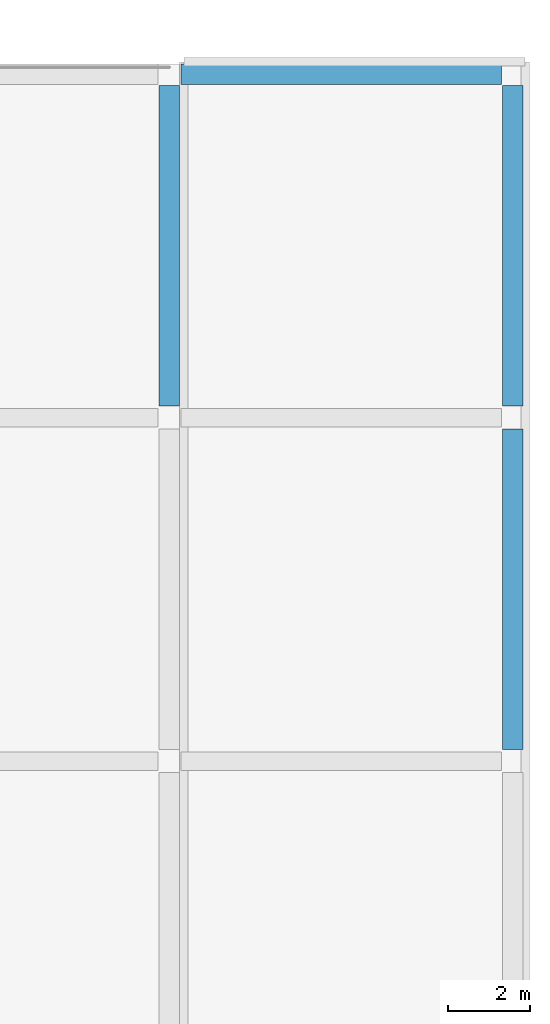
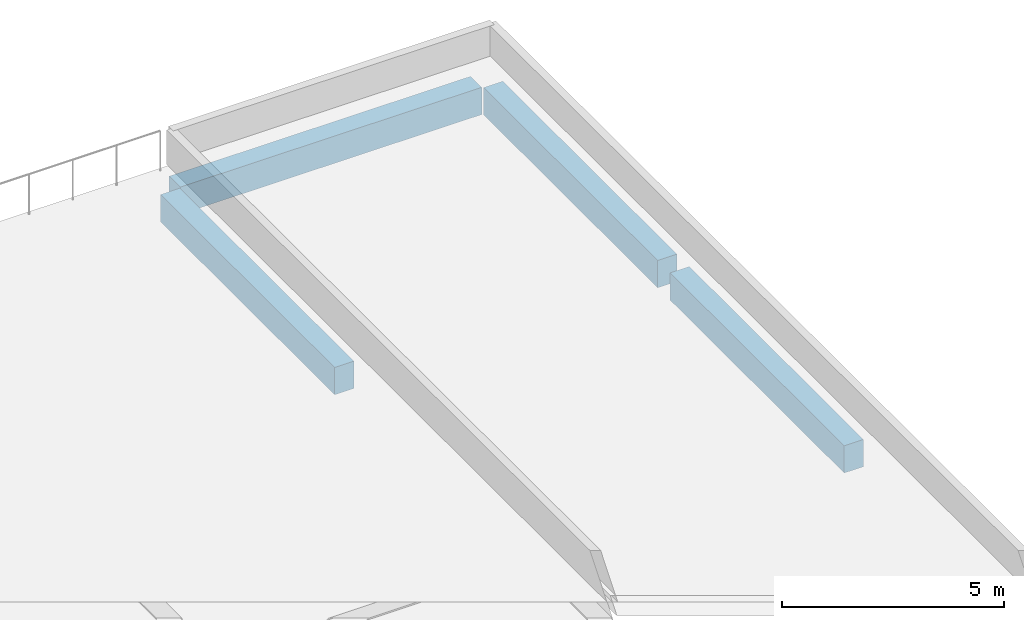
# One storey, part 71 of 129: 4 beams.
"""IFC4 building model written with IfcOpenShell, lengths in metres."""

from ifc_helpers import new_model, si_unit, direction, frame, origin, origin_2d, place, context, subcontext, project, spatial, rectangle, extrude, material, material_profile, profile_set, type_object, element, save


model = new_model("IFC4")

# Units and contexts
model_context = context("Model", 3, precision=1e-05, world=origin(), true_north=direction((0.0, 1.0)))
body_context = subcontext(model_context, "Body", "Model", "MODEL_VIEW")
ifc_project = project(units=[si_unit("LENGTHUNIT", "METRE"), si_unit("AREAUNIT", "SQUARE_METRE"), si_unit("VOLUMEUNIT", "CUBIC_METRE"), si_unit("PLANEANGLEUNIT", "RADIAN"), si_unit("MASSUNIT", "GRAM", prefix="KILO")], contexts=[model_context])

# Site, building, storey
site_placement = place(None, origin())
site = spatial("IfcSite", under=ifc_project, at=site_placement, CompositionType="ELEMENT")
building_placement = place(site_placement, origin())
building = spatial("IfcBuilding", under=site, at=building_placement, Name="Xazarin Passage Department Store", CompositionType="ELEMENT")
storey_placement = place(building_placement, frame((0.0, 0.0, 9.89990234375)))
storey = spatial("IfcBuildingStorey", under=building, at=storey_placement, Name="L02", CompositionType="ELEMENT", Elevation=9.89990234375)

# Beams
ifc_material = material(Name="Concrete C35/45", Category="concrete")
ifc_material_profile = material_profile(ifc_material, rectangle(XDim=0.5, YDim=0.75, at=origin_2d()), Name="RC 500x750")
ifc_profile_set = profile_set([ifc_material_profile], Name="Concrete C35/45")
beam_type = type_object("IfcBeamType", Name="STR-BM-SP500x750", PredefinedType="SPANDREL", material=ifc_profile_set)
for number, where, z_axis, x_axis, name in (
    (1, (161.47998046875, 110.0, -0.6748046875), (1.0, 0.0, 0.0), (0.0, 1.0, 0.0), "L02 Grid Beam Q/22-23"),
    (2, (161.199951171875, 101.8798828125, -0.6748046875), (0.0, 1.0, 0.0), (-1.0, 0.0, 0.0), "L02 Grid Beam 22/P-Q"),
    (3, (169.60009765625, 93.47998046875, -0.6748046875), (0.0, 1.0, 0.0), (-1.0, 0.0, 0.0), "L02 Grid Beam 23/N-P"),
    (4, (169.60009765625, 101.8798828125, -0.6748046875), (0.0, 1.0, 0.0), (-1.0, 0.0, 0.0), "L02 Grid Beam 23/P-Q"),
):
    element("IfcBeam", number, at=place(storey_placement, frame(where, z_axis=z_axis, x_axis=x_axis)), inside=storey, type_object=beam_type, Name=name, PredefinedType="SPANDREL", context=body_context, shape_type="SweptSolid", body=[
        extrude(rectangle(XDim=0.5, YDim=0.75, at=origin_2d()), origin(), (0.0, 0.0, 1.0), 7.840087890625),
    ])

save(model, "model.ifc")
